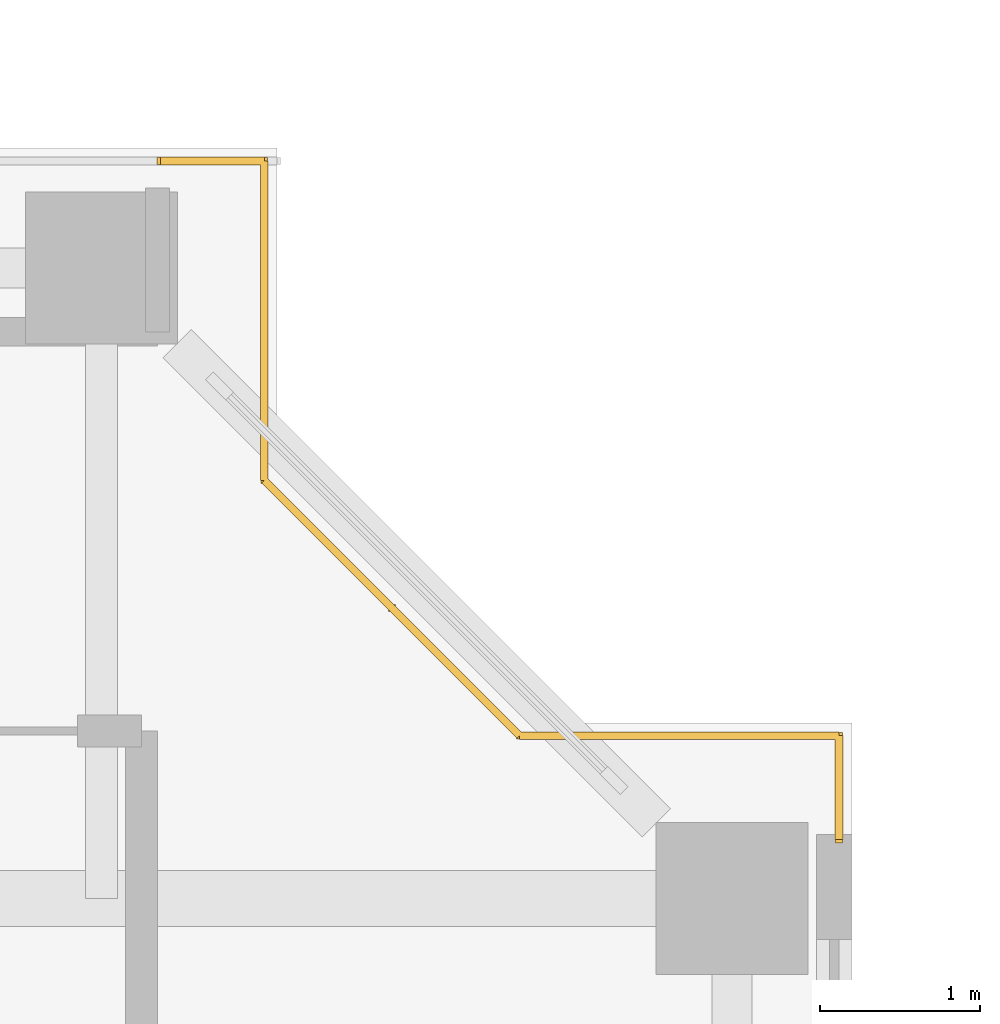
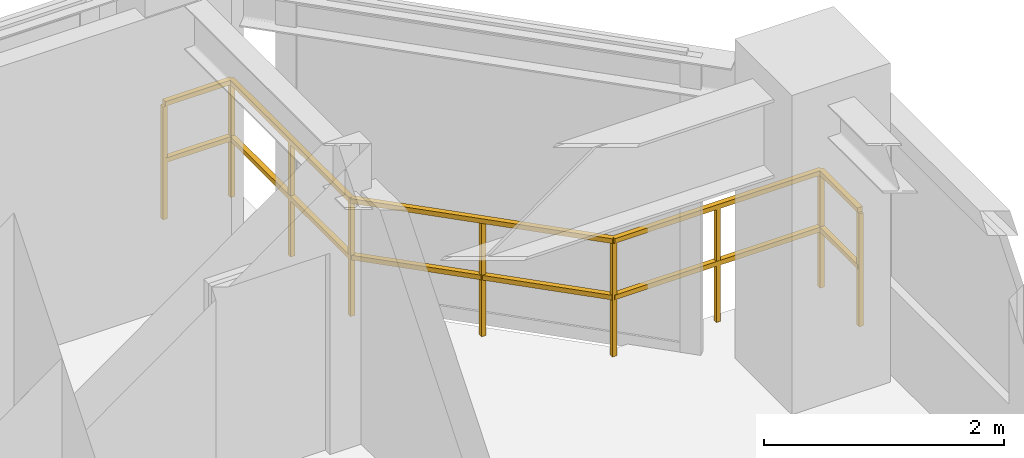
# One storey, part 24 of 24: 1 railing.
"""IFC4 building model written with IfcOpenShell, lengths in metres."""

from ifc_helpers import new_model, si_unit, direction, frame, origin, origin_2d, place, context, subcontext, project, spatial, rectangle, extrude, material, type_object, element, save


model = new_model("IFC4")

# Units and contexts
model_context = context("Model", 3, precision=1e-05, world=origin(), true_north=direction((0.0, 1.0)))
body_context = subcontext(model_context, "Body", "Model", "MODEL_VIEW")
ifc_project = project(units=[si_unit("LENGTHUNIT", "METRE"), si_unit("AREAUNIT", "SQUARE_METRE"), si_unit("VOLUMEUNIT", "CUBIC_METRE"), si_unit("PLANEANGLEUNIT", "RADIAN"), si_unit("MASSUNIT", "GRAM", prefix="KILO"), si_unit("THERMODYNAMICTEMPERATUREUNIT", "KELVIN"), si_unit("POWERUNIT", "WATT")], contexts=[model_context])

# Site, building, storey
site_placement = place(None, origin())
site = spatial("IfcSite", under=ifc_project, at=site_placement, CompositionType="ELEMENT")
building_placement = place(site_placement, origin())
building = spatial("IfcBuilding", under=site, at=building_placement, Name="Qiaomeng Ring Towers", CompositionType="ELEMENT")
storey_placement = place(building_placement, frame((0.0, 0.0, 42.5)))
storey = spatial("IfcBuildingStorey", under=building, at=storey_placement, Name="L11", CompositionType="ELEMENT", Elevation=42.5)

# Railing
ifc_material = material(Name="Low-E pale-green laminated safety glass", Category="glass")
railing_type = type_object("IfcRailingType", Name="ARC-RL-BAL1", PredefinedType="BALUSTRADE", material=ifc_material)
railing_placement = place(storey_placement, frame((73.919921875, 32.169921875, 0.0)))
element("IfcRailing", 1, at=railing_placement, inside=storey, type_object=railing_type, Name="L11 Balustrade ARC-BAL-NOTCH2-L11-NE", PredefinedType="BALUSTRADE", context=body_context, shape_type="SweptSolid", body=[
    extrude(rectangle(XDim=0.048095703125, YDim=0.048095703125, at=origin_2d()), frame((0.0, 0.0, 1.17578125), z_axis=(0.0, 1.0, 0.0), x_axis=(-1.0, 0.0, 0.0)), (0.0, 0.0, 1.0), 0.650146484375),
    extrude(rectangle(XDim=0.048095703125, YDim=0.048095703125, at=origin_2d()), frame((0.0, 0.0, 0.60009765625), z_axis=(0.0, 1.0, 0.0), x_axis=(-1.0, 0.0, 0.0)), (0.0, 0.0, 1.0), 0.650146484375),
    extrude(rectangle(XDim=0.048095703125, YDim=0.048095703125, at=origin_2d()), frame((0.0, 0.650146484375, 1.17578125), z_axis=(-1.0, 0.0, 0.0), x_axis=(0.0, -1.0, 0.0)), (0.0, 0.0, 1.0), 2.0),
    extrude(rectangle(XDim=0.048095703125, YDim=0.048095703125, at=origin_2d()), frame((0.0, 0.650146484375, 0.60009765625), z_axis=(-1.0, 0.0, 0.0), x_axis=(0.0, -1.0, 0.0)), (0.0, 0.0, 1.0), 2.0),
    extrude(rectangle(XDim=0.048095703125, YDim=0.048095703125, at=origin_2d()), frame((-2.0, 0.650146484375, 1.17578125), z_axis=(-0.707106781187, 0.707106781187, 0.0), x_axis=(-0.707106781187, -0.707106781187, 0.0)), (0.0, 0.0, 1.0), 2.262451171875),
    extrude(rectangle(XDim=0.048095703125, YDim=0.048095703125, at=origin_2d()), frame((-2.0, 0.650146484375, 0.60009765625), z_axis=(-0.707106781187, 0.707106781187, 0.0), x_axis=(-0.707106781187, -0.707106781187, 0.0)), (0.0, 0.0, 1.0), 2.262451171875),
    extrude(rectangle(XDim=0.048095703125, YDim=0.048095703125, at=origin_2d()), frame((-3.599853515625, 2.25, 1.17578125), z_axis=(0.0, 1.0, 0.0), x_axis=(-1.0, 0.0, 0.0)), (0.0, 0.0, 1.0), 2.0),
    extrude(rectangle(XDim=0.048095703125, YDim=0.048095703125, at=origin_2d()), frame((-3.599853515625, 2.25, 0.60009765625), z_axis=(0.0, 1.0, 0.0), x_axis=(-1.0, 0.0, 0.0)), (0.0, 0.0, 1.0), 2.0),
    extrude(rectangle(XDim=0.048095703125, YDim=0.048095703125, at=origin_2d()), frame((-3.599853515625, 4.25, 1.17578125), z_axis=(-1.0, 0.0, 0.0), x_axis=(0.0, -1.0, 0.0)), (0.0, 0.0, 1.0), 0.650146484375),
    extrude(rectangle(XDim=0.048095703125, YDim=0.048095703125, at=origin_2d()), frame((-3.599853515625, 4.25, 0.60009765625), z_axis=(-1.0, 0.0, 0.0), x_axis=(0.0, -1.0, 0.0)), (0.0, 0.0, 1.0), 0.650146484375),
    extrude(rectangle(XDim=0.0419921875, YDim=0.0419921875, at=origin_2d()), origin(), (0.0, 0.0, 1.0), 1.15185546875),
    extrude(rectangle(XDim=0.0419921875, YDim=0.0419921875, at=origin_2d()), frame((0.0, 0.650146484375, 0.0)), (0.0, 0.0, 1.0), 1.15185546875),
    extrude(rectangle(XDim=0.0419921875, YDim=0.0419921875, at=origin_2d()), frame((-1.0, 0.650146484375, 0.0)), (0.0, 0.0, 1.0), 1.15185546875),
    extrude(rectangle(XDim=0.0419921875, YDim=0.0419921875, at=origin_2d()), frame((-2.0, 0.650146484375, 0.0)), (0.0, 0.0, 1.0), 1.15185546875),
    extrude(rectangle(XDim=0.0419921875, YDim=0.0419921875, at=origin_2d()), frame((-2.7998046875, 1.4501953125, 0.0)), (0.0, 0.0, 1.0), 1.15185546875),
    extrude(rectangle(XDim=0.0419921875, YDim=0.0419921875, at=origin_2d()), frame((-3.599853515625, 2.25, 0.0)), (0.0, 0.0, 1.0), 1.15185546875),
    extrude(rectangle(XDim=0.0419921875, YDim=0.0419921875, at=origin_2d()), frame((-3.599853515625, 3.25, 0.0)), (0.0, 0.0, 1.0), 1.15185546875),
    extrude(rectangle(XDim=0.0419921875, YDim=0.0419921875, at=origin_2d()), frame((-3.599853515625, 4.25, 0.0)), (0.0, 0.0, 1.0), 1.15185546875),
    extrude(rectangle(XDim=0.0419921875, YDim=0.0419921875, at=origin_2d()), frame((-4.25, 4.25, 0.0)), (0.0, 0.0, 1.0), 1.15185546875),
])

save(model, "model.ifc")
